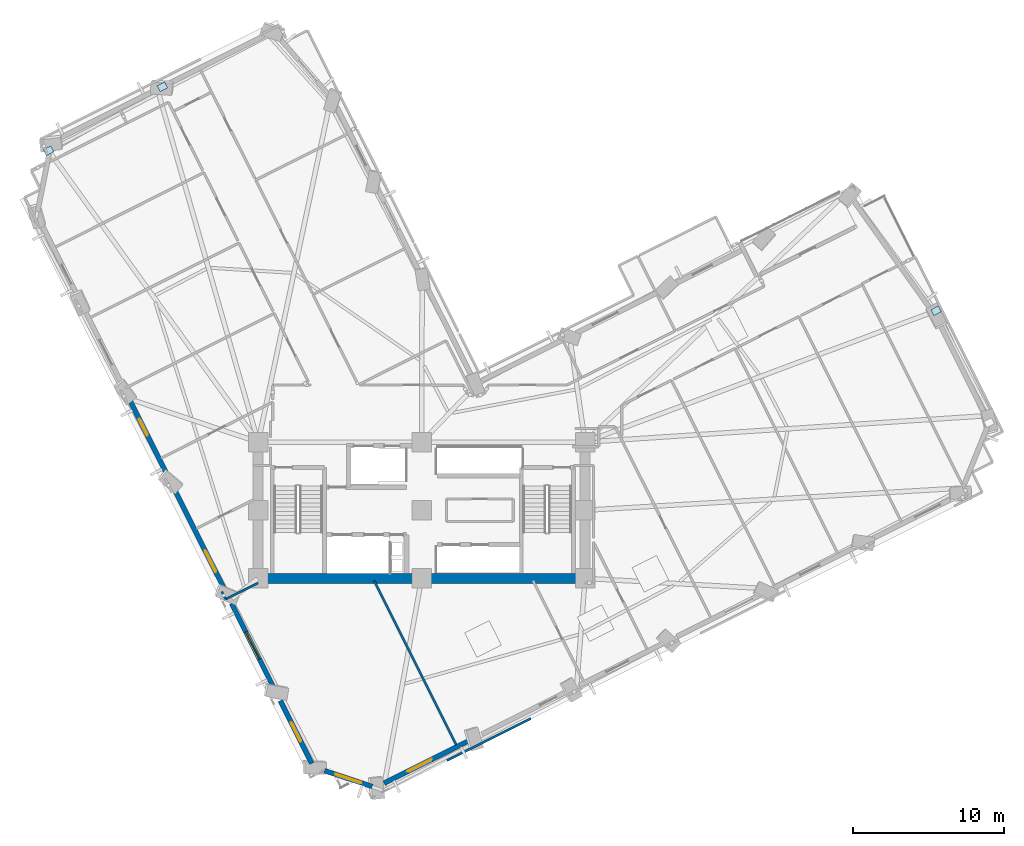
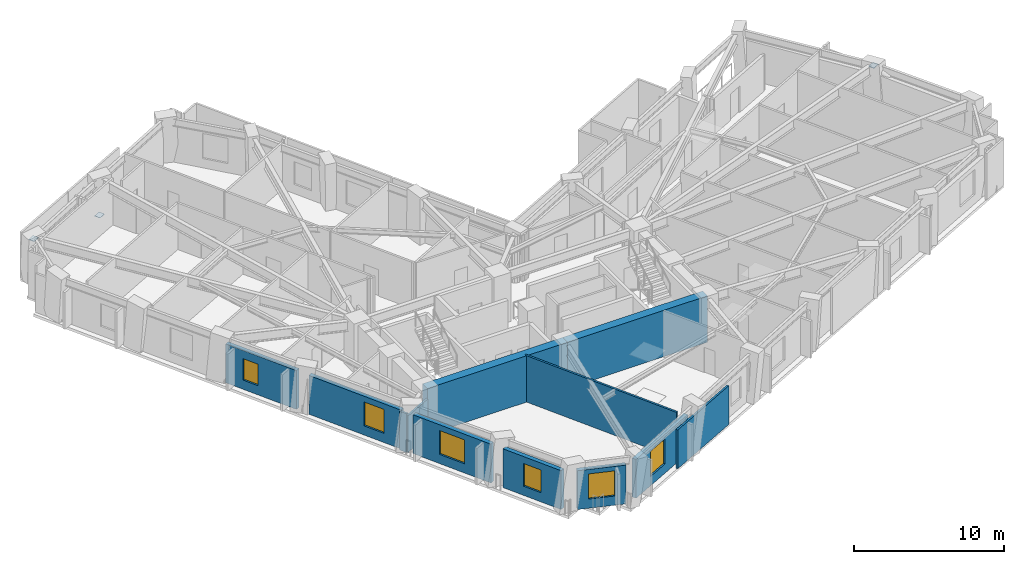
# One storey, part 7 of 16: 12 walls, 6 windows, 3 plates, 6 openings.
"""IFC4 building model written with IfcOpenShell, lengths in metres."""

from ifc_helpers import new_model, si_unit, direction, frame, frame_2d, origin, origin_2d, place, context, subcontext, project, spatial, rectangle, extrude, material, layer, layer_set, type_object, element, fill, save


model = new_model("IFC4")

# Units and contexts
model_context = context("Model", 3, precision=1e-05, world=origin(), true_north=direction((0.0, 1.0)))
body_context = subcontext(model_context, "Body", "Model", "MODEL_VIEW")
ifc_project = project(units=[si_unit("LENGTHUNIT", "METRE"), si_unit("AREAUNIT", "SQUARE_METRE"), si_unit("VOLUMEUNIT", "CUBIC_METRE"), si_unit("PLANEANGLEUNIT", "RADIAN"), si_unit("MASSUNIT", "GRAM", prefix="KILO")], contexts=[model_context])

# Site, building, storey
site_placement = place(None, origin())
site = spatial("IfcSite", under=ifc_project, at=site_placement, CompositionType="ELEMENT")
building_placement = place(site_placement, origin())
building = spatial("IfcBuilding", under=site, at=building_placement, Name="Gaonmaruhae Medical Tower", CompositionType="ELEMENT")
storey_placement = place(building_placement, frame((0.0, 0.0, 136.39990234375)))
storey = spatial("IfcBuildingStorey", under=building, at=storey_placement, Name="L32", CompositionType="ELEMENT", Elevation=136.39990234375)

# Plates
ifc_material_1 = material(Name="Steel HSA650 (650 MPa)", Category="steel")
ifc_layer_1 = layer(ifc_material_1, 0.028076171875)
ifc_layer_set_1 = layer_set([ifc_layer_1], Name="Steel HSA650 (650 MPa)")
plate_type = type_object("IfcPlateType", Name="GP-02 Tube Brace End Cap Gusset Plate", PredefinedType="USERDEFINED", material=ifc_layer_set_1)
for number, where, z_axis, x_axis, name in (
    (1, (58.79248046875, 25.47900390625, 3.51611328125), (0.0, 0.0, 1.0), (0.8866075438, 0.462522500293, 0.0), "L32 Gusset Cap Plate PLT-L32-PBR-E01B"),
    (2, (7.674560546875, 40.280029296875, 0.23583984375), (0.0, 0.0, 1.0), (0.894154236839, 0.447759087839, 0.0), "L32 Gusset Cap Plate PLT-L32-PBR-N02A"),
    (3, (0.1513671875, 36.055419921875, 3.51611328125), (0.0, 0.0, 1.0), (0.8866075438, 0.462522500293, 0.0), "L32 Gusset Cap Plate PLT-L32-PBR-N02B"),
):
    element("IfcPlate", number, at=place(storey_placement, frame(where, z_axis=z_axis, x_axis=x_axis)), inside=storey, type_object=plate_type, Name=name, ObjectType="GUSSET_PLATE", PredefinedType="USERDEFINED", context=body_context, shape_type="SweptSolid", body=[
        extrude(rectangle(XDim=0.56005859375, YDim=0.43994140625, at=origin_2d()), origin(), (0.0, 0.0, 1.0), 0.028076171875),
    ])

# Walls
ifc_material_2 = material(Name="Concrete C60/75", Category="concrete")
ifc_layer_2 = layer(ifc_material_2, 0.64990234375)
ifc_layer_set_2 = layer_set([ifc_layer_2], Name="Concrete C60/75")
wall_type_1 = type_object("IfcWallType", Name="CW-650 Zone 2 Core Shear Wall", PredefinedType="SHEAR", material=ifc_layer_set_2)
for number, where, z_axis, x_axis, name in (
    (4, (14.0, 7.800048828125, 0.0), (0.0, 0.0, 1.0), (1.0, 0.0, 0.0), "L32 Core Shear Wall CSW-S1"),
    (5, (24.800048828125, 7.800048828125, 0.0), (0.0, 0.0, 1.0), (1.0, 0.0, 0.0), "L32 Core Shear Wall CSW-S2"),
):
    element("IfcWall", number, at=place(storey_placement, frame(where, z_axis=z_axis, x_axis=x_axis)), inside=storey, type_object=wall_type_1, Name=name, PredefinedType="SHEAR", context=body_context, shape_type="SweptSolid", body=[
        extrude(rectangle(XDim=10.800048828125, YDim=0.64990234375, at=frame_2d((5.39990234375, 0.0))), origin(), (0.0, 0.0, 1.0), 3.780029296875),
    ])

# Wall, opening, window
ifc_material_3 = material(Name="Precast concrete C45/55", Category="concrete")
ifc_layer_3 = layer(ifc_material_3, 0.320068359375)
ifc_layer_set_3 = layer_set([ifc_layer_3], Name="Precast concrete C45/55")
wall_type_2 = type_object("IfcWallType", Name="EW-320 Lower Precast Masonry-Frame Facade Wall", PredefinedType="SOLIDWALL", material=ifc_layer_set_3)
wall_1_placement = place(storey_placement, frame((27.923828125, -2.92626953125, 0.0), z_axis=(0.0, 0.0, 1.0), x_axis=(-0.894162258791, -0.447743068013, 0.0)))
wall_1 = element("IfcWall", 6, at=wall_1_placement, inside=storey, type_object=wall_type_2, Name="L32 Precast Masonry-Frame Wall S01-S02", PredefinedType="SOLIDWALL", context=body_context, shape_type="SweptSolid", body=[
    extrude(rectangle(XDim=6.27001953125, YDim=0.320068359375, at=frame_2d((3.135009765625, 0.0))), origin(), (0.0, 0.0, 1.0), 3.1650390625),
])
opening_1_placement = place(wall_1_placement, frame((2.744873046875, 0.0, 0.75)))
opening_1 = element("IfcOpeningElement", 7, at=opening_1_placement, cuts=wall_1, Name="Opening WN-04", PredefinedType="OPENING", context=body_context, shape_type="SweptSolid", body=[
    extrude(rectangle(XDim=1.800048828125, YDim=2.050048828125, at=frame_2d((0.89990234375, 1.02490234375))), frame((0.0, 0.169921875, 0.0), z_axis=(0.0, -1.0, 0.0), x_axis=(1.0, 0.0, 0.0)), (0.0, 0.0, 1.0), 0.340087890625),
])
ifc_material_4 = material(Name="Anodised aluminium and Low-E double glazing", Category="aluminium")
window_type_1 = type_object("IfcWindowType", Name="WN-04 Clinic & Consult Punched Window 1800x2050", PartitioningType="SINGLE_PANEL", PredefinedType="WINDOW", material=ifc_material_4)
window_1_placement = place(opening_1_placement, origin())
window_1 = element("IfcWindow", 8, at=window_1_placement, inside=storey, type_object=window_type_1, Name="L32 Modular Facade Window S01", OverallHeight=2.050048828125, OverallWidth=1.800048828125, PartitioningType="SINGLE_PANEL", PredefinedType="WINDOW", context=body_context, shape_type="SweptSolid", body=[
    extrude(rectangle(XDim=1.800048828125, YDim=2.050048828125, at=frame_2d((0.89990234375, 1.02490234375))), frame((0.0, 0.030029296875, 0.0), z_axis=(0.0, -1.0, 0.0), x_axis=(1.0, 0.0, 0.0)), (0.0, 0.0, 1.0), 0.06005859375),
])
fill(opening_1, window_1)

wall_2_placement = place(storey_placement, frame((8.062255859375, 14.492431640625, 0.0), z_axis=(0.0, 0.0, 1.0), x_axis=(-0.447765402244, 0.894151074793, 0.0)))
wall_2 = element("IfcWall", 9, at=wall_2_placement, inside=storey, type_object=wall_type_2, Name="L32 Precast Masonry-Frame Wall W03-W04", PredefinedType="SOLIDWALL", context=body_context, shape_type="SweptSolid", body=[
    extrude(rectangle(XDim=5.662353515625, YDim=0.320068359375, at=frame_2d((2.8310546875, 0.0))), origin(), (0.0, 0.0, 1.0), 3.1650390625),
])
opening_2_placement = place(wall_2_placement, frame((3.080810546875, 0.0, 0.75)))
opening_2 = element("IfcOpeningElement", 10, at=opening_2_placement, cuts=wall_2, Name="Opening WN-05", PredefinedType="OPENING", context=body_context, shape_type="SweptSolid", body=[
    extrude(rectangle(XDim=1.199951171875, YDim=1.75, at=frame_2d((0.60009765625, 0.875))), frame((0.0, 0.169921875, 0.0), z_axis=(0.0, -1.0, 0.0), x_axis=(1.0, 0.0, 0.0)), (0.0, 0.0, 1.0), 0.340087890625),
])
window_type_2 = type_object("IfcWindowType", Name="WN-05 Support & Staff Punched Window 1200x1750", PartitioningType="SINGLE_PANEL", PredefinedType="WINDOW", material=ifc_material_4)
window_2_placement = place(opening_2_placement, origin())
window_2 = element("IfcWindow", 11, at=window_2_placement, inside=storey, type_object=window_type_2, Name="L32 Modular Facade Window W03", OverallHeight=1.75, OverallWidth=1.199951171875, PartitioningType="SINGLE_PANEL", PredefinedType="WINDOW", context=body_context, shape_type="SweptSolid", body=[
    extrude(rectangle(XDim=1.199951171875, YDim=1.75, at=frame_2d((0.60009765625, 0.875))), frame((0.0, 0.030029296875, 0.0), z_axis=(0.0, -1.0, 0.0), x_axis=(1.0, 0.0, 0.0)), (0.0, 0.0, 1.0), 0.06005859375),
])
fill(opening_2, window_2)

wall_3_placement = place(storey_placement, frame((11.802001953125, 7.0244140625, 0.0), z_axis=(0.0, 0.0, 1.0), x_axis=(-0.447770775833, 0.894148383832, 0.0)))
wall_3 = element("IfcWall", 12, at=wall_3_placement, inside=storey, type_object=wall_type_2, Name="L32 Precast Masonry-Frame Wall W04-W05", PredefinedType="SOLIDWALL", context=body_context, shape_type="SweptSolid", body=[
    extrude(rectangle(XDim=7.360107421875, YDim=0.320068359375, at=frame_2d((3.68017578125, 0.0))), origin(), (0.0, 0.0, 1.0), 3.1650390625),
])
opening_3_placement = place(wall_3_placement, frame((1.337646484375, 0.0, 0.75)))
opening_3 = element("IfcOpeningElement", 13, at=opening_3_placement, cuts=wall_3, Name="Opening WN-01", PredefinedType="OPENING", context=body_context, shape_type="SweptSolid", body=[
    extrude(rectangle(XDim=1.60009765625, YDim=1.949951171875, at=frame_2d((0.800048828125, 0.97509765625))), frame((0.0, 0.169921875, 0.0), z_axis=(0.0, -1.0, 0.0), x_axis=(1.0, 0.0, 0.0)), (0.0, 0.0, 1.0), 0.340087890625),
])
window_type_3 = type_object("IfcWindowType", Name="WN-01 Ward Punched Acoustic Window 1600x1950", PartitioningType="SINGLE_PANEL", PredefinedType="WINDOW", material=ifc_material_4)
window_3_placement = place(opening_3_placement, origin())
window_3 = element("IfcWindow", 14, at=window_3_placement, inside=storey, type_object=window_type_3, Name="L32 Modular Facade Window W04", OverallHeight=1.949951171875, OverallWidth=1.60009765625, PartitioningType="SINGLE_PANEL", PredefinedType="WINDOW", context=body_context, shape_type="SweptSolid", body=[
    extrude(rectangle(XDim=1.60009765625, YDim=1.949951171875, at=frame_2d((0.800048828125, 0.97509765625))), frame((0.0, 0.030029296875, 0.0), z_axis=(0.0, -1.0, 0.0), x_axis=(1.0, 0.0, 0.0)), (0.0, 0.0, 1.0), 0.06005859375),
])
fill(opening_3, window_3)

wall_4_placement = place(storey_placement, frame((15.0302734375, 0.57763671875, 0.0), z_axis=(0.0, 0.0, 1.0), x_axis=(-0.447762720767, 0.894152417595, 0.0)))
wall_4 = element("IfcWall", 15, at=wall_4_placement, inside=storey, type_object=wall_type_2, Name="L32 Precast Masonry-Frame Wall W05-W06", PredefinedType="SOLIDWALL", context=body_context, shape_type="SweptSolid", body=[
    extrude(rectangle(XDim=6.223388671875, YDim=0.320068359375, at=frame_2d((3.11181640625, 0.0))), origin(), (0.0, 0.0, 1.0), 3.1650390625),
])
opening_4_placement = place(wall_4_placement, frame((2.1142578125, 0.0, 0.75)))
opening_4 = element("IfcOpeningElement", 16, at=opening_4_placement, cuts=wall_4, Name="Opening WN-02", PredefinedType="OPENING", context=body_context, shape_type="SweptSolid", body=[
    extrude(rectangle(XDim=2.0, YDim=1.949951171875, at=frame_2d((1.0, 0.97509765625))), frame((0.0, 0.169921875, 0.0), z_axis=(0.0, -1.0, 0.0), x_axis=(1.0, 0.0, 0.0)), (0.0, 0.0, 1.0), 0.340087890625),
])
window_type_4 = type_object("IfcWindowType", Name="WN-02 Double-Bed Ward Punched Window 2000x1950", PartitioningType="SINGLE_PANEL", PredefinedType="WINDOW", material=ifc_material_4)
window_4_placement = place(opening_4_placement, origin())
window_4 = element("IfcWindow", 17, at=window_4_placement, inside=storey, type_object=window_type_4, Name="L32 Modular Facade Window W05", OverallHeight=1.949951171875, OverallWidth=2.0, PartitioningType="SINGLE_PANEL", PredefinedType="WINDOW", context=body_context, shape_type="SweptSolid", body=[
    extrude(rectangle(XDim=2.0, YDim=1.949951171875, at=frame_2d((1.0, 0.97509765625))), frame((0.0, 0.030029296875, 0.0), z_axis=(0.0, -1.0, 0.0), x_axis=(1.0, 0.0, 0.0)), (0.0, 0.0, 1.0), 0.06005859375),
])
fill(opening_4, window_4)

wall_5_placement = place(storey_placement, frame((17.543701171875, -4.44140625, 0.0), z_axis=(0.0, 0.0, 1.0), x_axis=(-0.4477808487, 0.89414333948, 0.0)))
wall_5 = element("IfcWall", 18, at=wall_5_placement, inside=storey, type_object=wall_type_2, Name="L32 Precast Masonry-Frame Wall W06-W07", PredefinedType="SOLIDWALL", context=body_context, shape_type="SweptSolid", body=[
    extrude(rectangle(XDim=4.6474609375, YDim=0.320068359375, at=frame_2d((2.32373046875, 0.0))), origin(), (0.0, 0.0, 1.0), 3.1650390625),
])
opening_5_placement = place(wall_5_placement, frame((1.627197265625, 0.0, 0.75)))
opening_5 = element("IfcOpeningElement", 19, at=opening_5_placement, cuts=wall_5, Name="Opening WN-03", PredefinedType="OPENING", context=body_context, shape_type="SweptSolid", body=[
    extrude(rectangle(XDim=1.39990234375, YDim=1.85009765625, at=frame_2d((0.699951171875, 0.925048828125))), frame((0.0, 0.169921875, 0.0), z_axis=(0.0, -1.0, 0.0), x_axis=(1.0, 0.0, 0.0)), (0.0, 0.0, 1.0), 0.340087890625),
])
window_type_5 = type_object("IfcWindowType", Name="WN-03 Isolation Ward Punched Window 1400x1850", PartitioningType="SINGLE_PANEL", PredefinedType="WINDOW", material=ifc_material_4)
window_5_placement = place(opening_5_placement, origin())
window_5 = element("IfcWindow", 20, at=window_5_placement, inside=storey, type_object=window_type_5, Name="L32 Modular Facade Window W06", OverallHeight=1.85009765625, OverallWidth=1.39990234375, PartitioningType="SINGLE_PANEL", PredefinedType="WINDOW", context=body_context, shape_type="SweptSolid", body=[
    extrude(rectangle(XDim=1.39990234375, YDim=1.85009765625, at=frame_2d((0.699951171875, 0.925048828125))), frame((0.0, 0.030029296875, 0.0), z_axis=(0.0, -1.0, 0.0), x_axis=(1.0, 0.0, 0.0)), (0.0, 0.0, 1.0), 0.06005859375),
])
fill(opening_5, window_5)

wall_6_placement = place(storey_placement, frame((21.5341796875, -5.949951171875, 0.0), z_axis=(0.0, 0.0, 1.0), x_axis=(-0.948881483825, 0.31563258649, 0.0)))
wall_6 = element("IfcWall", 21, at=wall_6_placement, inside=storey, type_object=wall_type_2, Name="L32 Precast Masonry-Frame Wall W07-S01", PredefinedType="SOLIDWALL", context=body_context, shape_type="SweptSolid", body=[
    extrude(rectangle(XDim=3.322998046875, YDim=0.320068359375, at=frame_2d((1.66162109375, 0.0))), origin(), (0.0, 0.0, 1.0), 3.1650390625),
])
opening_6_placement = place(wall_6_placement, frame((0.760986328125, 0.0, 0.75)))
opening_6 = element("IfcOpeningElement", 22, at=opening_6_placement, cuts=wall_6, Name="Opening WN-04", PredefinedType="OPENING", context=body_context, shape_type="SweptSolid", body=[
    extrude(rectangle(XDim=1.800048828125, YDim=2.050048828125, at=frame_2d((0.89990234375, 1.02490234375))), frame((0.0, 0.169921875, 0.0), z_axis=(0.0, -1.0, 0.0), x_axis=(1.0, 0.0, 0.0)), (0.0, 0.0, 1.0), 0.340087890625),
])
window_6_placement = place(opening_6_placement, origin())
window_6 = element("IfcWindow", 23, at=window_6_placement, inside=storey, type_object=window_type_1, Name="L32 Modular Facade Window W07", OverallHeight=2.050048828125, OverallWidth=1.800048828125, PartitioningType="SINGLE_PANEL", PredefinedType="WINDOW", context=body_context, shape_type="SweptSolid", body=[
    extrude(rectangle(XDim=1.800048828125, YDim=2.050048828125, at=frame_2d((0.89990234375, 1.02490234375))), frame((0.0, 0.030029296875, 0.0), z_axis=(0.0, -1.0, 0.0), x_axis=(1.0, 0.0, 0.0)), (0.0, 0.0, 1.0), 0.06005859375),
])
fill(opening_6, window_6)

# Walls
ifc_material_5 = material(Name="Gypsum board partition", Category="gypsum")
ifc_layer_4 = layer(ifc_material_5, 0.14990234375)
ifc_layer_set_4 = layer_set([ifc_layer_4], Name="Gypsum board partition")
wall_type_3 = type_object("IfcWallType", Name="PW-150 Rated Clinical Corridor Partition", PredefinedType="PARTITIONING", material=ifc_layer_set_4)
wall_7_placement = place(storey_placement, frame((21.65087890625, 7.656982421875, 0.0), z_axis=(0.0, 0.0, 1.0), x_axis=(0.447808912085, -0.894129284979, 0.0)))
element("IfcWall", 24, at=wall_7_placement, inside=storey, type_object=wall_type_3, Name="L32 Interior Partition L32-SUP02-6", PredefinedType="PARTITIONING", context=body_context, shape_type="SweptSolid", body=[
    extrude(rectangle(XDim=12.136962890625, YDim=0.14990234375, at=frame_2d((6.068359375, 0.0))), origin(), (0.0, 0.0, 1.0), 3.780029296875),
])
wall_8_placement = place(storey_placement, frame((13.993896484375, 7.5, 0.0), z_axis=(0.0, 0.0, 1.0), x_axis=(-0.894183245332, -0.44770115453, 0.0)))
element("IfcWall", 25, at=wall_8_placement, inside=storey, type_object=wall_type_3, Name="L32 Interior Partition L32-WOF11-35", PredefinedType="PARTITIONING", context=body_context, shape_type="SweptSolid", body=[
    extrude(rectangle(XDim=2.4033203125, YDim=0.14990234375, at=frame_2d((1.20166015625, 0.0))), origin(), (0.0, 0.0, 1.0), 2.965087890625),
])
wall_9_placement = place(storey_placement, frame((11.844970703125, 6.424072265625, 0.0), z_axis=(0.0, 0.0, 1.0), x_axis=(-0.448091991479, 0.893987453588, 0.0)))
element("IfcWall", 26, at=wall_9_placement, inside=storey, type_object=wall_type_3, Name="L32 Interior Partition L32-WOF11-36", PredefinedType="PARTITIONING", context=body_context, shape_type="SweptSolid", body=[
    extrude(rectangle(XDim=0.5556640625, YDim=0.14990234375, at=frame_2d((0.27783203125, 0.0))), origin(), (0.0, 0.0, 1.0), 3.1650390625),
])
wall_10_placement = place(storey_placement, frame((32.010986328125, -1.4609375, 0.0), z_axis=(0.0, 0.0, 1.0), x_axis=(-0.894135147504, -0.447797206332, 0.0)))
element("IfcWall", 27, at=wall_10_placement, inside=storey, type_object=wall_type_3, Name="L32 Interior Partition L32-RM02-100", PredefinedType="PARTITIONING", context=body_context, shape_type="SweptSolid", body=[
    extrude(rectangle(XDim=6.190185546875, YDim=0.14990234375, at=frame_2d((3.09521484375, 0.0))), origin(), (0.0, 0.0, 1.0), 3.1650390625),
])

save(model, "model.ifc")
